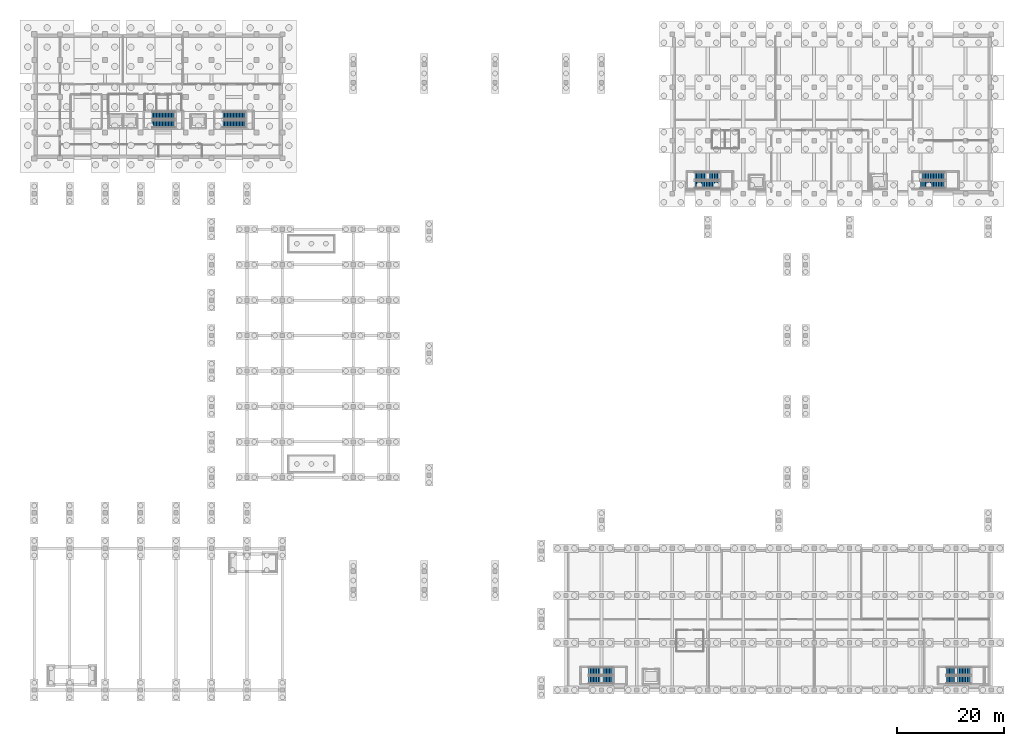
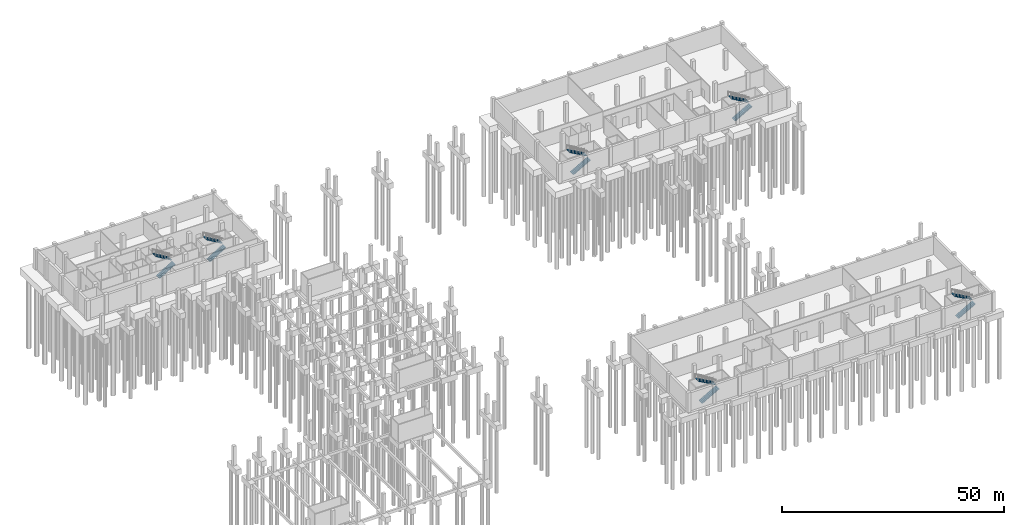
# One storey, part 15 of 23: 12 stair flights, 6 elements without a shape of their own.
"""IFC4 building model written with IfcOpenShell, lengths in metres."""

from ifc_helpers import new_model, si_unit, direction, frame, origin, place, context, subcontext, project, spatial, polyline, outline, extrude, material, type_object, element, aggregate, save


model = new_model("IFC4")

# Units and contexts
model_context = context("Model", 3, precision=1e-05, world=origin(), true_north=direction((0.0, 1.0)))
body_context = subcontext(model_context, "Body", "Model", "MODEL_VIEW")
ifc_project = project(units=[si_unit("LENGTHUNIT", "METRE"), si_unit("AREAUNIT", "SQUARE_METRE"), si_unit("VOLUMEUNIT", "CUBIC_METRE"), si_unit("PLANEANGLEUNIT", "RADIAN"), si_unit("MASSUNIT", "GRAM", prefix="KILO")], contexts=[model_context])

# Site, building, storey
site_placement = place(None, origin())
site = spatial("IfcSite", under=ifc_project, at=site_placement, CompositionType="ELEMENT")
building_placement = place(site_placement, origin())
building = spatial("IfcBuilding", under=site, at=building_placement, Name="Dornvale Research Institute", CompositionType="ELEMENT")
storey_placement = place(building_placement, frame((0.0, 0.0, -5.39990234375)))
storey = spatial("IfcBuildingStorey", under=building, at=storey_placement, Name="B1", CompositionType="ELEMENT", Elevation=-5.39990234375)

# Stair, stair flights
ifc_material_1 = material(Name="Concrete f'c 45 MPa (C35/45)", Category="concrete")
stair_type = type_object("IfcStairType", Name="HalfTurnStair_RC", PredefinedType="HALF_TURN_STAIR", material=ifc_material_1)
stair_1_placement = place(storey_placement, origin())
stair_1 = element("IfcStair", 1, at=stair_1_placement, inside=storey, type_object=stair_type, Name="B1 Exit stair ST-1", PredefinedType="HALF_TURN_STAIR")
ifc_material_2 = material(Name="Concrete f'c 45 MPa (C35/45)", Category="concrete")
stair_flight_type = type_object("IfcStairFlightType", Name="StraightFlight_RC150", PredefinedType="STRAIGHT", material=ifc_material_2)
stair_flight_1_placement = place(storey_placement, frame((21.949951171875, 105.39990234375, 0.0), z_axis=(0.0, 0.0, 1.0), x_axis=(1.0, 0.0, 0.0)))
stair_flight_1 = element("IfcStairFlight", 2, at=stair_flight_1_placement, type_object=stair_flight_type, Name="ST-1 flight 1", NumberOfRisers=16, NumberOfTreads=15, PredefinedType="STRAIGHT", RiserHeight=0.16875, TreadLength=0.28, context=body_context, shape_type="SweptSolid", body=[
    extrude(outline(polyline([(0.0, 0.0), (0.0, 0.168701171875), (0.280029296875, 0.168701171875), (0.280029296875, 0.33740234375), (0.56005859375, 0.33740234375), (0.56005859375, 0.50634765625), (0.840087890625, 0.50634765625), (0.840087890625, 0.675048828125), (1.1201171875, 0.675048828125), (1.1201171875, 0.84375), (1.39990234375, 0.84375), (1.39990234375, 1.012451171875), (1.679931640625, 1.012451171875), (1.679931640625, 1.18115234375), (1.9599609375, 1.18115234375), (1.9599609375, 1.35009765625), (2.239990234375, 1.35009765625), (2.239990234375, 1.518798828125), (2.52001953125, 1.518798828125), (2.52001953125, 1.6875), (2.800048828125, 1.6875), (2.800048828125, 1.856201171875), (3.080078125, 1.856201171875), (3.080078125, 2.02490234375), (3.360107421875, 2.02490234375), (3.360107421875, 2.19384765625), (3.639892578125, 2.19384765625), (3.639892578125, 2.362548828125), (3.919921875, 2.362548828125), (3.919921875, 2.53125), (4.199951171875, 2.53125), (4.199951171875, 2.699951171875), (4.199951171875, 2.356201171875), (0.29052734375, 0.0), (0.0, 0.0)])), frame((0.0, 0.699951171875, 0.0), z_axis=(0.0, -1.0, 0.0), x_axis=(1.0, 0.0, 0.0)), (0.0, 0.0, 1.0), 1.39990234375),
])
stair_flight_2_placement = place(storey_placement, frame((26.14990234375, 106.9599609375, 2.699951171875), z_axis=(0.0, 0.0, 1.0), x_axis=(-1.0, 0.0, 0.0)))
stair_flight_2 = element("IfcStairFlight", 3, at=stair_flight_2_placement, type_object=stair_flight_type, Name="ST-1 flight 2", NumberOfRisers=16, NumberOfTreads=15, PredefinedType="STRAIGHT", RiserHeight=0.16875, TreadLength=0.28, context=body_context, shape_type="SweptSolid", body=[
    extrude(outline(polyline([(0.0, 0.0), (0.0, 0.168701171875), (0.280029296875, 0.168701171875), (0.280029296875, 0.33740234375), (0.56005859375, 0.33740234375), (0.56005859375, 0.50634765625), (0.840087890625, 0.50634765625), (0.840087890625, 0.675048828125), (1.1201171875, 0.675048828125), (1.1201171875, 0.84375), (1.39990234375, 0.84375), (1.39990234375, 1.012451171875), (1.679931640625, 1.012451171875), (1.679931640625, 1.18115234375), (1.9599609375, 1.18115234375), (1.9599609375, 1.35009765625), (2.239990234375, 1.35009765625), (2.239990234375, 1.518798828125), (2.52001953125, 1.518798828125), (2.52001953125, 1.6875), (2.800048828125, 1.6875), (2.800048828125, 1.856201171875), (3.080078125, 1.856201171875), (3.080078125, 2.02490234375), (3.360107421875, 2.02490234375), (3.360107421875, 2.19384765625), (3.639892578125, 2.19384765625), (3.639892578125, 2.362548828125), (3.919921875, 2.362548828125), (3.919921875, 2.53125), (4.199951171875, 2.53125), (4.199951171875, 2.699951171875), (4.199951171875, 2.356201171875), (0.29052734375, 0.0), (0.0, 0.0)])), frame((0.0, 0.699951171875, 0.0), z_axis=(0.0, -1.0, 0.0), x_axis=(1.0, 0.0, 0.0)), (0.0, 0.0, 1.0), 1.39990234375),
])
aggregate(stair_1, [stair_flight_1, stair_flight_2])

stair_2_placement = place(storey_placement, origin())
stair_2 = element("IfcStair", 4, at=stair_2_placement, inside=storey, type_object=stair_type, Name="B1 Exit stair ST-2", PredefinedType="HALF_TURN_STAIR")
stair_flight_3_placement = place(storey_placement, frame((35.10009765625, 105.39990234375, 0.0), z_axis=(0.0, 0.0, 1.0), x_axis=(1.0, 0.0, 0.0)))
stair_flight_3 = element("IfcStairFlight", 5, at=stair_flight_3_placement, type_object=stair_flight_type, Name="ST-2 flight 1", NumberOfRisers=16, NumberOfTreads=15, PredefinedType="STRAIGHT", RiserHeight=0.16875, TreadLength=0.28, context=body_context, shape_type="SweptSolid", body=[
    extrude(outline(polyline([(0.0, 0.0), (0.0, 0.168701171875), (0.280029296875, 0.168701171875), (0.280029296875, 0.33740234375), (0.56005859375, 0.33740234375), (0.56005859375, 0.50634765625), (0.840087890625, 0.50634765625), (0.840087890625, 0.675048828125), (1.1201171875, 0.675048828125), (1.1201171875, 0.84375), (1.39990234375, 0.84375), (1.39990234375, 1.012451171875), (1.679931640625, 1.012451171875), (1.679931640625, 1.18115234375), (1.9599609375, 1.18115234375), (1.9599609375, 1.35009765625), (2.239990234375, 1.35009765625), (2.239990234375, 1.518798828125), (2.52001953125, 1.518798828125), (2.52001953125, 1.6875), (2.800048828125, 1.6875), (2.800048828125, 1.856201171875), (3.080078125, 1.856201171875), (3.080078125, 2.02490234375), (3.360107421875, 2.02490234375), (3.360107421875, 2.19384765625), (3.639892578125, 2.19384765625), (3.639892578125, 2.362548828125), (3.919921875, 2.362548828125), (3.919921875, 2.53125), (4.199951171875, 2.53125), (4.199951171875, 2.699951171875), (4.199951171875, 2.356201171875), (0.29052734375, 0.0), (0.0, 0.0)])), frame((0.0, 0.699951171875, 0.0), z_axis=(0.0, -1.0, 0.0), x_axis=(1.0, 0.0, 0.0)), (0.0, 0.0, 1.0), 1.39990234375),
])
stair_flight_4_placement = place(storey_placement, frame((39.300048828125, 106.9599609375, 2.699951171875), z_axis=(0.0, 0.0, 1.0), x_axis=(-1.0, 0.0, 0.0)))
stair_flight_4 = element("IfcStairFlight", 6, at=stair_flight_4_placement, type_object=stair_flight_type, Name="ST-2 flight 2", NumberOfRisers=16, NumberOfTreads=15, PredefinedType="STRAIGHT", RiserHeight=0.16875, TreadLength=0.28, context=body_context, shape_type="SweptSolid", body=[
    extrude(outline(polyline([(0.0, 0.0), (0.0, 0.168701171875), (0.280029296875, 0.168701171875), (0.280029296875, 0.33740234375), (0.56005859375, 0.33740234375), (0.56005859375, 0.50634765625), (0.840087890625, 0.50634765625), (0.840087890625, 0.675048828125), (1.1201171875, 0.675048828125), (1.1201171875, 0.84375), (1.39990234375, 0.84375), (1.39990234375, 1.012451171875), (1.679931640625, 1.012451171875), (1.679931640625, 1.18115234375), (1.9599609375, 1.18115234375), (1.9599609375, 1.35009765625), (2.239990234375, 1.35009765625), (2.239990234375, 1.518798828125), (2.52001953125, 1.518798828125), (2.52001953125, 1.6875), (2.800048828125, 1.6875), (2.800048828125, 1.856201171875), (3.080078125, 1.856201171875), (3.080078125, 2.02490234375), (3.360107421875, 2.02490234375), (3.360107421875, 2.19384765625), (3.639892578125, 2.19384765625), (3.639892578125, 2.362548828125), (3.919921875, 2.362548828125), (3.919921875, 2.53125), (4.199951171875, 2.53125), (4.199951171875, 2.699951171875), (4.199951171875, 2.356201171875), (0.29052734375, 0.0), (0.0, 0.0)])), frame((0.0, 0.699951171875, 0.0), z_axis=(0.0, -1.0, 0.0), x_axis=(1.0, 0.0, 0.0)), (0.0, 0.0, 1.0), 1.39990234375),
])
aggregate(stair_2, [stair_flight_3, stair_flight_4])

stair_3_placement = place(storey_placement, origin())
stair_3 = element("IfcStair", 7, at=stair_3_placement, inside=storey, type_object=stair_type, Name="B1 Exit stair ST-3", PredefinedType="HALF_TURN_STAIR")
stair_flight_5_placement = place(storey_placement, frame((123.02001953125, 94.110107421875, 0.0), z_axis=(0.0, 0.0, 1.0), x_axis=(1.0, 0.0, 0.0)))
stair_flight_5 = element("IfcStairFlight", 8, at=stair_flight_5_placement, type_object=stair_flight_type, Name="ST-3 flight 1", NumberOfRisers=16, NumberOfTreads=15, PredefinedType="STRAIGHT", RiserHeight=0.16875, TreadLength=0.3, context=body_context, shape_type="SweptSolid", body=[
    extrude(outline(polyline([(0.0, 0.0), (0.0, 0.168701171875), (0.300048828125, 0.168701171875), (0.300048828125, 0.33740234375), (0.60009765625, 0.33740234375), (0.60009765625, 0.50634765625), (0.89990234375, 0.50634765625), (0.89990234375, 0.675048828125), (1.199951171875, 0.675048828125), (1.199951171875, 0.84375), (1.5, 0.84375), (1.5, 1.012451171875), (1.800048828125, 1.012451171875), (1.800048828125, 1.18115234375), (2.10009765625, 1.18115234375), (2.10009765625, 1.35009765625), (2.39990234375, 1.35009765625), (2.39990234375, 1.518798828125), (2.699951171875, 1.518798828125), (2.699951171875, 1.6875), (3.0, 1.6875), (3.0, 1.856201171875), (3.300048828125, 1.856201171875), (3.300048828125, 2.02490234375), (3.60009765625, 2.02490234375), (3.60009765625, 2.19384765625), (3.89990234375, 2.19384765625), (3.89990234375, 2.362548828125), (4.199951171875, 2.362548828125), (4.199951171875, 2.53125), (4.5, 2.53125), (4.5, 2.699951171875), (4.5, 2.359375), (0.3056640625, 0.0), (0.0, 0.0)])), frame((0.0, 0.7099609375, 0.0), z_axis=(0.0, -1.0, 0.0), x_axis=(1.0, 0.0, 0.0)), (0.0, 0.0, 1.0), 1.419921875),
])
stair_flight_6_placement = place(storey_placement, frame((127.52001953125, 95.68994140625, 2.699951171875), z_axis=(0.0, 0.0, 1.0), x_axis=(-1.0, 0.0, 0.0)))
stair_flight_6 = element("IfcStairFlight", 9, at=stair_flight_6_placement, type_object=stair_flight_type, Name="ST-3 flight 2", NumberOfRisers=16, NumberOfTreads=15, PredefinedType="STRAIGHT", RiserHeight=0.16875, TreadLength=0.3, context=body_context, shape_type="SweptSolid", body=[
    extrude(outline(polyline([(0.0, 0.0), (0.0, 0.168701171875), (0.300048828125, 0.168701171875), (0.300048828125, 0.33740234375), (0.60009765625, 0.33740234375), (0.60009765625, 0.50634765625), (0.89990234375, 0.50634765625), (0.89990234375, 0.675048828125), (1.199951171875, 0.675048828125), (1.199951171875, 0.84375), (1.5, 0.84375), (1.5, 1.012451171875), (1.800048828125, 1.012451171875), (1.800048828125, 1.18115234375), (2.10009765625, 1.18115234375), (2.10009765625, 1.35009765625), (2.39990234375, 1.35009765625), (2.39990234375, 1.518798828125), (2.699951171875, 1.518798828125), (2.699951171875, 1.6875), (3.0, 1.6875), (3.0, 1.856201171875), (3.300048828125, 1.856201171875), (3.300048828125, 2.02490234375), (3.60009765625, 2.02490234375), (3.60009765625, 2.19384765625), (3.89990234375, 2.19384765625), (3.89990234375, 2.362548828125), (4.199951171875, 2.362548828125), (4.199951171875, 2.53125), (4.5, 2.53125), (4.5, 2.699951171875), (4.5, 2.359375), (0.3056640625, 0.0), (0.0, 0.0)])), frame((0.0, 0.7099609375, 0.0), z_axis=(0.0, -1.0, 0.0), x_axis=(1.0, 0.0, 0.0)), (0.0, 0.0, 1.0), 1.419921875),
])
aggregate(stair_3, [stair_flight_5, stair_flight_6])

stair_4_placement = place(storey_placement, origin())
stair_4 = element("IfcStair", 10, at=stair_4_placement, inside=storey, type_object=stair_type, Name="B1 Exit stair ST-4", PredefinedType="HALF_TURN_STAIR")
stair_flight_7_placement = place(storey_placement, frame((165.02001953125, 94.110107421875, 0.0), z_axis=(0.0, 0.0, 1.0), x_axis=(1.0, 0.0, 0.0)))
stair_flight_7 = element("IfcStairFlight", 11, at=stair_flight_7_placement, type_object=stair_flight_type, Name="ST-4 flight 1", NumberOfRisers=16, NumberOfTreads=15, PredefinedType="STRAIGHT", RiserHeight=0.16875, TreadLength=0.3, context=body_context, shape_type="SweptSolid", body=[
    extrude(outline(polyline([(0.0, 0.0), (0.0, 0.168701171875), (0.300048828125, 0.168701171875), (0.300048828125, 0.33740234375), (0.60009765625, 0.33740234375), (0.60009765625, 0.50634765625), (0.89990234375, 0.50634765625), (0.89990234375, 0.675048828125), (1.199951171875, 0.675048828125), (1.199951171875, 0.84375), (1.5, 0.84375), (1.5, 1.012451171875), (1.800048828125, 1.012451171875), (1.800048828125, 1.18115234375), (2.10009765625, 1.18115234375), (2.10009765625, 1.35009765625), (2.39990234375, 1.35009765625), (2.39990234375, 1.518798828125), (2.699951171875, 1.518798828125), (2.699951171875, 1.6875), (3.0, 1.6875), (3.0, 1.856201171875), (3.300048828125, 1.856201171875), (3.300048828125, 2.02490234375), (3.60009765625, 2.02490234375), (3.60009765625, 2.19384765625), (3.89990234375, 2.19384765625), (3.89990234375, 2.362548828125), (4.199951171875, 2.362548828125), (4.199951171875, 2.53125), (4.5, 2.53125), (4.5, 2.699951171875), (4.5, 2.359375), (0.3056640625, 0.0), (0.0, 0.0)])), frame((0.0, 0.7099609375, 0.0), z_axis=(0.0, -1.0, 0.0), x_axis=(1.0, 0.0, 0.0)), (0.0, 0.0, 1.0), 1.419921875),
])
stair_flight_8_placement = place(storey_placement, frame((169.52001953125, 95.68994140625, 2.699951171875), z_axis=(0.0, 0.0, 1.0), x_axis=(-1.0, 0.0, 0.0)))
stair_flight_8 = element("IfcStairFlight", 12, at=stair_flight_8_placement, type_object=stair_flight_type, Name="ST-4 flight 2", NumberOfRisers=16, NumberOfTreads=15, PredefinedType="STRAIGHT", RiserHeight=0.16875, TreadLength=0.3, context=body_context, shape_type="SweptSolid", body=[
    extrude(outline(polyline([(0.0, 0.0), (0.0, 0.168701171875), (0.300048828125, 0.168701171875), (0.300048828125, 0.33740234375), (0.60009765625, 0.33740234375), (0.60009765625, 0.50634765625), (0.89990234375, 0.50634765625), (0.89990234375, 0.675048828125), (1.199951171875, 0.675048828125), (1.199951171875, 0.84375), (1.5, 0.84375), (1.5, 1.012451171875), (1.800048828125, 1.012451171875), (1.800048828125, 1.18115234375), (2.10009765625, 1.18115234375), (2.10009765625, 1.35009765625), (2.39990234375, 1.35009765625), (2.39990234375, 1.518798828125), (2.699951171875, 1.518798828125), (2.699951171875, 1.6875), (3.0, 1.6875), (3.0, 1.856201171875), (3.300048828125, 1.856201171875), (3.300048828125, 2.02490234375), (3.60009765625, 2.02490234375), (3.60009765625, 2.19384765625), (3.89990234375, 2.19384765625), (3.89990234375, 2.362548828125), (4.199951171875, 2.362548828125), (4.199951171875, 2.53125), (4.5, 2.53125), (4.5, 2.699951171875), (4.5, 2.359375), (0.3056640625, 0.0), (0.0, 0.0)])), frame((0.0, 0.7099609375, 0.0), z_axis=(0.0, -1.0, 0.0), x_axis=(1.0, 0.0, 0.0)), (0.0, 0.0, 1.0), 1.419921875),
])
aggregate(stair_4, [stair_flight_7, stair_flight_8])

stair_5_placement = place(storey_placement, origin())
stair_5 = element("IfcStair", 13, at=stair_5_placement, inside=storey, type_object=stair_type, Name="B1 Exit stair ST-5", PredefinedType="HALF_TURN_STAIR")
stair_flight_9_placement = place(storey_placement, frame((103.219970703125, 1.909912109375, 0.0), z_axis=(0.0, 0.0, 1.0), x_axis=(1.0, 0.0, 0.0)))
stair_flight_9 = element("IfcStairFlight", 14, at=stair_flight_9_placement, type_object=stair_flight_type, Name="ST-5 flight 1", NumberOfRisers=16, NumberOfTreads=15, PredefinedType="STRAIGHT", RiserHeight=0.16875, TreadLength=0.3, context=body_context, shape_type="SweptSolid", body=[
    extrude(outline(polyline([(0.0, 0.0), (0.0, 0.168701171875), (0.300048828125, 0.168701171875), (0.300048828125, 0.33740234375), (0.60009765625, 0.33740234375), (0.60009765625, 0.50634765625), (0.89990234375, 0.50634765625), (0.89990234375, 0.675048828125), (1.199951171875, 0.675048828125), (1.199951171875, 0.84375), (1.5, 0.84375), (1.5, 1.012451171875), (1.800048828125, 1.012451171875), (1.800048828125, 1.18115234375), (2.10009765625, 1.18115234375), (2.10009765625, 1.35009765625), (2.39990234375, 1.35009765625), (2.39990234375, 1.518798828125), (2.699951171875, 1.518798828125), (2.699951171875, 1.6875), (3.0, 1.6875), (3.0, 1.856201171875), (3.300048828125, 1.856201171875), (3.300048828125, 2.02490234375), (3.60009765625, 2.02490234375), (3.60009765625, 2.19384765625), (3.89990234375, 2.19384765625), (3.89990234375, 2.362548828125), (4.199951171875, 2.362548828125), (4.199951171875, 2.53125), (4.5, 2.53125), (4.5, 2.699951171875), (4.5, 2.359375), (0.3056640625, 0.0), (0.0, 0.0)])), frame((0.0, 0.7099609375, 0.0), z_axis=(0.0, -1.0, 0.0), x_axis=(1.0, 0.0, 0.0)), (0.0, 0.0, 1.0), 1.419921875),
])
stair_flight_10_placement = place(storey_placement, frame((107.719970703125, 3.489990234375, 2.699951171875), z_axis=(0.0, 0.0, 1.0), x_axis=(-1.0, 0.0, 0.0)))
stair_flight_10 = element("IfcStairFlight", 15, at=stair_flight_10_placement, type_object=stair_flight_type, Name="ST-5 flight 2", NumberOfRisers=16, NumberOfTreads=15, PredefinedType="STRAIGHT", RiserHeight=0.16875, TreadLength=0.3, context=body_context, shape_type="SweptSolid", body=[
    extrude(outline(polyline([(0.0, 0.0), (0.0, 0.168701171875), (0.300048828125, 0.168701171875), (0.300048828125, 0.33740234375), (0.60009765625, 0.33740234375), (0.60009765625, 0.50634765625), (0.89990234375, 0.50634765625), (0.89990234375, 0.675048828125), (1.199951171875, 0.675048828125), (1.199951171875, 0.84375), (1.5, 0.84375), (1.5, 1.012451171875), (1.800048828125, 1.012451171875), (1.800048828125, 1.18115234375), (2.10009765625, 1.18115234375), (2.10009765625, 1.35009765625), (2.39990234375, 1.35009765625), (2.39990234375, 1.518798828125), (2.699951171875, 1.518798828125), (2.699951171875, 1.6875), (3.0, 1.6875), (3.0, 1.856201171875), (3.300048828125, 1.856201171875), (3.300048828125, 2.02490234375), (3.60009765625, 2.02490234375), (3.60009765625, 2.19384765625), (3.89990234375, 2.19384765625), (3.89990234375, 2.362548828125), (4.199951171875, 2.362548828125), (4.199951171875, 2.53125), (4.5, 2.53125), (4.5, 2.699951171875), (4.5, 2.359375), (0.3056640625, 0.0), (0.0, 0.0)])), frame((0.0, 0.7099609375, 0.0), z_axis=(0.0, -1.0, 0.0), x_axis=(1.0, 0.0, 0.0)), (0.0, 0.0, 1.0), 1.419921875),
])
aggregate(stair_5, [stair_flight_9, stair_flight_10])

stair_6_placement = place(storey_placement, origin())
stair_6 = element("IfcStair", 16, at=stair_6_placement, inside=storey, type_object=stair_type, Name="B1 Exit stair ST-6", PredefinedType="HALF_TURN_STAIR")
stair_flight_11_placement = place(storey_placement, frame((169.820068359375, 1.909912109375, 0.0), z_axis=(0.0, 0.0, 1.0), x_axis=(1.0, 0.0, 0.0)))
stair_flight_11 = element("IfcStairFlight", 17, at=stair_flight_11_placement, type_object=stair_flight_type, Name="ST-6 flight 1", NumberOfRisers=16, NumberOfTreads=15, PredefinedType="STRAIGHT", RiserHeight=0.16875, TreadLength=0.3, context=body_context, shape_type="SweptSolid", body=[
    extrude(outline(polyline([(0.0, 0.0), (0.0, 0.168701171875), (0.300048828125, 0.168701171875), (0.300048828125, 0.33740234375), (0.60009765625, 0.33740234375), (0.60009765625, 0.50634765625), (0.89990234375, 0.50634765625), (0.89990234375, 0.675048828125), (1.199951171875, 0.675048828125), (1.199951171875, 0.84375), (1.5, 0.84375), (1.5, 1.012451171875), (1.800048828125, 1.012451171875), (1.800048828125, 1.18115234375), (2.10009765625, 1.18115234375), (2.10009765625, 1.35009765625), (2.39990234375, 1.35009765625), (2.39990234375, 1.518798828125), (2.699951171875, 1.518798828125), (2.699951171875, 1.6875), (3.0, 1.6875), (3.0, 1.856201171875), (3.300048828125, 1.856201171875), (3.300048828125, 2.02490234375), (3.60009765625, 2.02490234375), (3.60009765625, 2.19384765625), (3.89990234375, 2.19384765625), (3.89990234375, 2.362548828125), (4.199951171875, 2.362548828125), (4.199951171875, 2.53125), (4.5, 2.53125), (4.5, 2.699951171875), (4.5, 2.359375), (0.3056640625, 0.0), (0.0, 0.0)])), frame((0.0, 0.7099609375, 0.0), z_axis=(0.0, -1.0, 0.0), x_axis=(1.0, 0.0, 0.0)), (0.0, 0.0, 1.0), 1.419921875),
])
stair_flight_12_placement = place(storey_placement, frame((174.320068359375, 3.489990234375, 2.699951171875), z_axis=(0.0, 0.0, 1.0), x_axis=(-1.0, 0.0, 0.0)))
stair_flight_12 = element("IfcStairFlight", 18, at=stair_flight_12_placement, type_object=stair_flight_type, Name="ST-6 flight 2", NumberOfRisers=16, NumberOfTreads=15, PredefinedType="STRAIGHT", RiserHeight=0.16875, TreadLength=0.3, context=body_context, shape_type="SweptSolid", body=[
    extrude(outline(polyline([(0.0, 0.0), (0.0, 0.168701171875), (0.300048828125, 0.168701171875), (0.300048828125, 0.33740234375), (0.60009765625, 0.33740234375), (0.60009765625, 0.50634765625), (0.89990234375, 0.50634765625), (0.89990234375, 0.675048828125), (1.199951171875, 0.675048828125), (1.199951171875, 0.84375), (1.5, 0.84375), (1.5, 1.012451171875), (1.800048828125, 1.012451171875), (1.800048828125, 1.18115234375), (2.10009765625, 1.18115234375), (2.10009765625, 1.35009765625), (2.39990234375, 1.35009765625), (2.39990234375, 1.518798828125), (2.699951171875, 1.518798828125), (2.699951171875, 1.6875), (3.0, 1.6875), (3.0, 1.856201171875), (3.300048828125, 1.856201171875), (3.300048828125, 2.02490234375), (3.60009765625, 2.02490234375), (3.60009765625, 2.19384765625), (3.89990234375, 2.19384765625), (3.89990234375, 2.362548828125), (4.199951171875, 2.362548828125), (4.199951171875, 2.53125), (4.5, 2.53125), (4.5, 2.699951171875), (4.5, 2.359375), (0.3056640625, 0.0), (0.0, 0.0)])), frame((0.0, 0.7099609375, 0.0), z_axis=(0.0, -1.0, 0.0), x_axis=(1.0, 0.0, 0.0)), (0.0, 0.0, 1.0), 1.419921875),
])
aggregate(stair_6, [stair_flight_11, stair_flight_12])

save(model, "model.ifc")
